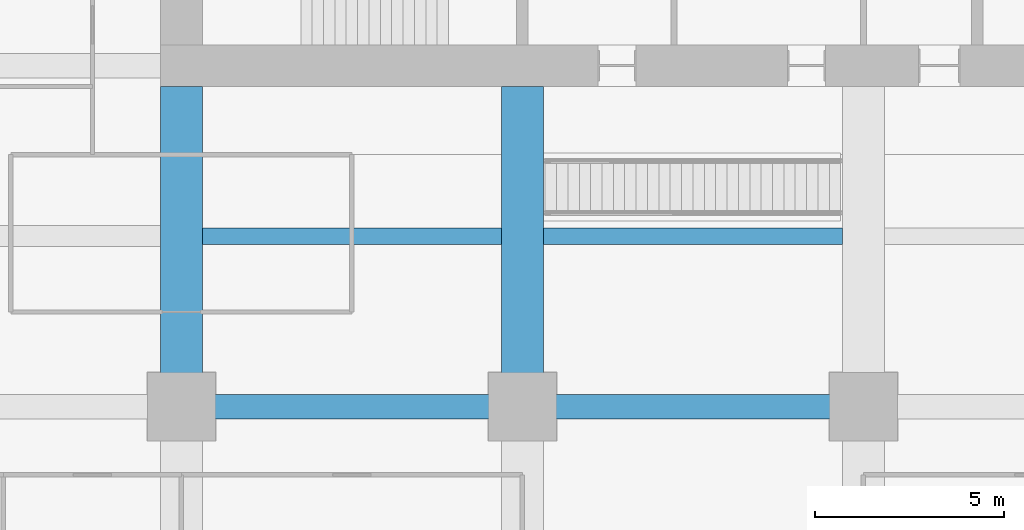
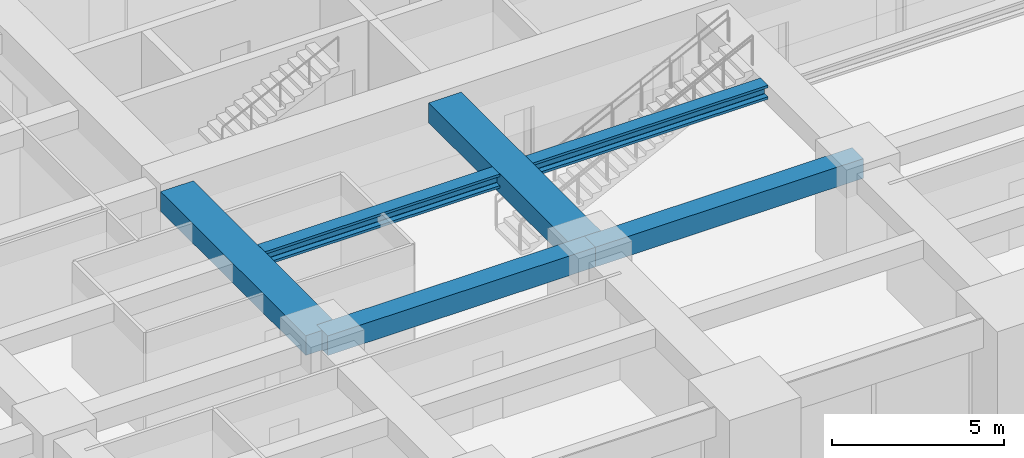
# One storey, part 8 of 41: 6 beams.
"""IFC4 building model written with IfcOpenShell, lengths in metres."""

from ifc_helpers import new_model, si_unit, direction, frame, origin, origin_2d, place, context, subcontext, project, spatial, rectangle, i_section, extrude, material, material_profile, profile_set, type_object, element, save


model = new_model("IFC4")

# Units and contexts
model_context = context("Model", 3, precision=1e-05, world=origin(), true_north=direction((0.0, 1.0)))
body_context = subcontext(model_context, "Body", "Model", "MODEL_VIEW")
ifc_project = project(units=[si_unit("LENGTHUNIT", "METRE"), si_unit("AREAUNIT", "SQUARE_METRE"), si_unit("VOLUMEUNIT", "CUBIC_METRE"), si_unit("PLANEANGLEUNIT", "RADIAN"), si_unit("MASSUNIT", "GRAM", prefix="KILO")], contexts=[model_context])

# Site, building, storey
site_placement = place(None, origin())
site = spatial("IfcSite", under=ifc_project, at=site_placement, CompositionType="ELEMENT")
building_placement = place(site_placement, origin())
building = spatial("IfcBuilding", under=site, at=building_placement, Name="Zorevar Civic Tower", CompositionType="ELEMENT")
storey_placement = place(building_placement, frame((0.0, 0.0, 137.0)))
storey = spatial("IfcBuildingStorey", under=building, at=storey_placement, Name="L33", CompositionType="ELEMENT", Elevation=137.0)

# Beams
ifc_material_1 = material(Name="Concrete C50/60", Category="concrete")
ifc_material_profile_1 = material_profile(ifc_material_1, rectangle(XDim=1.10009765625, YDim=0.699951171875, at=origin_2d()), Name="RC 1100x700")
ifc_profile_set_1 = profile_set([ifc_material_profile_1], Name="Concrete C50/60")
beam_type_1 = type_object("IfcBeamType", Name="Beam RC 1100x700", PredefinedType="BEAM", material=ifc_profile_set_1)
for number, where, z_axis, x_axis, name in (
    (1, (18.0, 9.0, 3.39990234375), (0.0, 1.0, 0.0), (-1.0, 0.0, 0.0), "Girder L34"),
    (2, (27.0, 9.0, 3.39990234375), (0.0, 1.0, 0.0), (-1.0, 0.0, 0.0), "Girder L34"),
):
    element("IfcBeam", number, at=place(storey_placement, frame(where, z_axis=z_axis, x_axis=x_axis)), inside=storey, type_object=beam_type_1, Name=name, PredefinedType="BEAM", context=body_context, shape_type="SweptSolid", body=[
        extrude(rectangle(XDim=1.10009765625, YDim=0.699951171875, at=origin_2d()), origin(), (0.0, 0.0, 1.0), 8.449951171875),
    ])
ifc_material_2 = material(Name="Concrete C50/60", Category="concrete")
ifc_material_profile_2 = material_profile(ifc_material_2, rectangle(XDim=0.64990234375, YDim=0.699951171875, at=origin_2d()), Name="RC 650x700")
ifc_profile_set_2 = profile_set([ifc_material_profile_2], Name="Concrete C50/60")
beam_type_2 = type_object("IfcBeamType", Name="Beam RC 650x700", PredefinedType="BEAM", material=ifc_profile_set_2)
for number, where, z_axis, x_axis, name in (
    (3, (18.0, 9.0, 3.39990234375), (1.0, 0.0, 0.0), (0.0, 1.0, 0.0), "Girder L34"),
    (4, (27.0, 9.0, 3.39990234375), (1.0, 0.0, 0.0), (0.0, 1.0, 0.0), "Girder L34"),
):
    element("IfcBeam", number, at=place(storey_placement, frame(where, z_axis=z_axis, x_axis=x_axis)), inside=storey, type_object=beam_type_2, Name=name, PredefinedType="BEAM", context=body_context, shape_type="SweptSolid", body=[
        extrude(rectangle(XDim=0.64990234375, YDim=0.699951171875, at=origin_2d()), origin(), (0.0, 0.0, 1.0), 9.0),
    ])
ifc_material_3 = material(Name="Steel S460M (HISTAR 460)", Category="steel")
ifc_material_profile_3 = material_profile(ifc_material_3, i_section(OverallWidth=0.431884765625, OverallDepth=0.498046875, WebThickness=0.0556640625, FlangeThickness=0.0888671875, FilletRadius=0.014892578125, at=origin_2d()), Name="HD 400x744")
ifc_profile_set_3 = profile_set([ifc_material_profile_3], Name="Steel S460M (HISTAR 460)")
beam_type_3 = type_object("IfcBeamType", Name="Core bay beam HD 400x744", PredefinedType="BEAM", material=ifc_profile_set_3)
for number, where, z_axis, x_axis, name in (
    (5, (18.550048828125, 13.5, 3.5009765625), (1.0, 0.0, 0.0), (0.0, 1.0, 0.0), "Secondary beam L34"),
    (6, (27.550048828125, 13.5, 3.5009765625), (1.0, 0.0, 0.0), (0.0, 1.0, 0.0), "Secondary beam L34"),
):
    element("IfcBeam", number, at=place(storey_placement, frame(where, z_axis=z_axis, x_axis=x_axis)), inside=storey, type_object=beam_type_3, Name=name, PredefinedType="BEAM", context=body_context, shape_type="SweptSolid", body=[
        extrude(i_section(OverallWidth=0.431884765625, OverallDepth=0.498046875, WebThickness=0.0556640625, FlangeThickness=0.0888671875, FilletRadius=0.014892578125, at=origin_2d()), origin(), (0.0, 0.0, 1.0), 7.89990234375),
    ])

save(model, "model.ifc")
